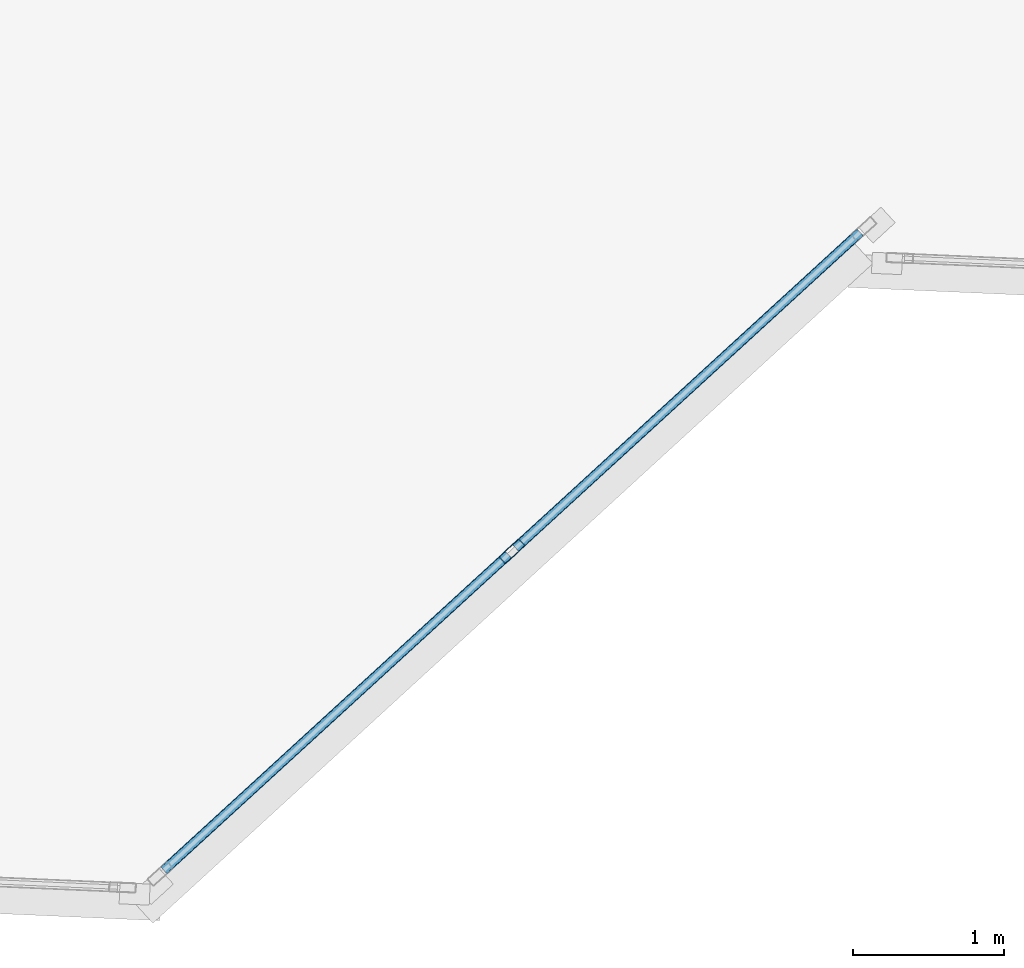
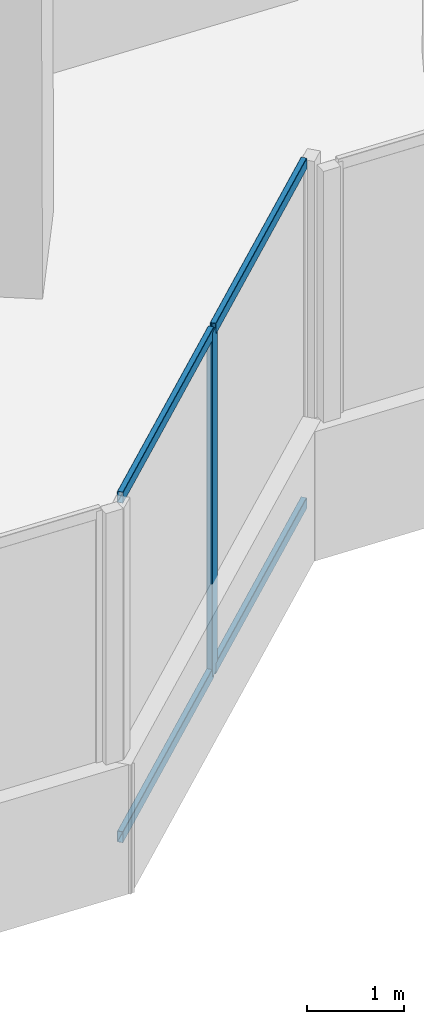
# One storey, part 6 of 27: 5 members, 1 element without a shape of its own.
"""IFC4 building model written with IfcOpenShell, lengths in metres."""

import ifcopenshell
import ifcopenshell.guid

model = None  # the IFC model being written
_history = None  # IfcOwnerHistory: only IFC2X3 demands one
_inside = {}  # id of a spatial element -> (the spatial element, [elements in it])
_under = {}  # id of a project, library or spatial element -> (it, [spatial elements below it])
_declared = {}  # id of a project -> (the project, [libraries it declares])
_typed = {}  # id of a type object -> (the type object, [elements of that type])
_made_of = {}  # id of a material, layer set ... -> (it, [elements and type objects made of it])


def new_model(schema):
    """Start an empty IFC model of exactly this schema.

    Asked for "IFC4X3", IfcOpenShell would pick the latest addendum, in which some entities
    have other attributes; the version numbers below select the first issue.
    IFC2X3 requires an IfcOwnerHistory on every rooted entity: one is made here for all.
    """
    global model, _history
    if schema == "IFC4X3":
        model = ifcopenshell.file(schema_version=(4, 3, 0, 0))
    else:
        model = ifcopenshell.file(schema=schema)
    _inside.clear()
    _under.clear()
    _declared.clear()
    _typed.clear()
    _made_of.clear()
    _history = None
    if model.schema == "IFC2X3":
        org = make("IfcOrganization", Name="unknown")
        user = make(
            "IfcPersonAndOrganization",
            ThePerson=make("IfcPerson", FamilyName="unknown"),
            TheOrganization=org,
        )
        app = make(
            "IfcApplication",
            ApplicationDeveloper=org,
            Version="unknown",
            ApplicationFullName="unknown",
            ApplicationIdentifier="unknown",
        )
        _history = make(
            "IfcOwnerHistory",
            OwningUser=user,
            OwningApplication=app,
            ChangeAction="ADDED",
            CreationDate=0,
        )
    return model


def make(cls, **values):
    """One entity of the class cls with the attributes given. An attribute that is None is left unset."""
    return model.create_entity(
        cls, **{name: value for name, value in values.items() if value is not None}
    )


def rooted(cls, **values):
    """An entity with a GlobalId (a new one), such as an element, a storey or a relation."""
    return make(cls, GlobalId=ifcopenshell.guid.new(), OwnerHistory=_history, **values)


def si_unit(unit_type, name, prefix=None):
    """IfcSIUnit, for example si_unit("LENGTHUNIT", "METRE", prefix="MILLI")."""
    return make("IfcSIUnit", UnitType=unit_type, Prefix=prefix, Name=name)


def assignment(units):
    """IfcUnitAssignment: the units of a project."""
    return None if units is None else make("IfcUnitAssignment", Units=units)


def point(xyz):
    """IfcCartesianPoint."""
    return None if xyz is None else make("IfcCartesianPoint", Coordinates=xyz)


def direction(xyz):
    """IfcDirection."""
    return None if xyz is None else make("IfcDirection", DirectionRatios=xyz)


def frame(location, z_axis=None, x_axis=None):
    """IfcAxis2Placement3D, a coordinate frame: its origin and axes. An axis left out is left unset."""
    return make(
        "IfcAxis2Placement3D",
        Location=point(location),
        Axis=direction(z_axis),
        RefDirection=direction(x_axis),
    )


def frame_2d(location, x_axis=None):
    """IfcAxis2Placement2D, a coordinate frame in the plane: its origin and x axis."""
    return make(
        "IfcAxis2Placement2D", Location=point(location), RefDirection=direction(x_axis)
    )


def origin():
    """The frame at (0, 0, 0) with its axes left unset."""
    return frame((0.0, 0.0, 0.0))


def origin_2d():
    """The frame at (0, 0) in the plane with its x axis left unset."""
    return frame_2d((0.0, 0.0))


def place(relative_to, where):
    """IfcLocalPlacement: puts the frame where relative to a parent placement (None: the world)."""
    return make(
        "IfcLocalPlacement", PlacementRelTo=relative_to, RelativePlacement=where
    )


def context(
    kind, dimensions, precision=None, world=None, true_north=None, identifier=None
):
    """IfcGeometricRepresentationContext, for example the 3D "Model" context."""
    return make(
        "IfcGeometricRepresentationContext",
        ContextIdentifier=identifier,
        ContextType=kind,
        CoordinateSpaceDimension=dimensions,
        Precision=precision,
        WorldCoordinateSystem=world,
        TrueNorth=true_north,
    )


def subcontext(parent, identifier, kind, view, scale=None):
    """IfcGeometricRepresentationSubContext, for example "Body" below "Model"."""
    return make(
        "IfcGeometricRepresentationSubContext",
        ContextIdentifier=identifier,
        ContextType=kind,
        ParentContext=parent,
        TargetScale=scale,
        TargetView=view,
    )


def project(units=None, contexts=None):
    """IfcProject with its units and contexts."""
    return rooted(
        "IfcProject",
        Name="project",
        RepresentationContexts=contexts,
        UnitsInContext=assignment(units),
    )


def spatial(cls, under=None, at=None, **own):
    """A site, building, storey or space (cls), placed at a placement, below another one or the project."""
    s = rooted(cls, ObjectPlacement=at, **own)
    if under is not None:
        _under.setdefault(under.id(), (under, []))[1].append(s)
    return s


def profile(cls, at=None, kind="AREA", **sizes):
    """A parametric profile (cls). Its sizes go by their IFC names, for example OverallWidth=200.0."""
    return make(cls, ProfileType=kind, Position=at, **sizes)


def hollow_rectangle(**sizes):
    """IfcRectangleHollowProfileDef."""
    return profile("IfcRectangleHollowProfileDef", **sizes)


def extrude(swept, where, along, depth):
    """IfcExtrudedAreaSolid: the profile swept, set in the frame where, extruded along a direction by depth."""
    return make(
        "IfcExtrudedAreaSolid",
        SweptArea=swept,
        Position=where,
        ExtrudedDirection=direction(along),
        Depth=depth,
    )


def shape(context_of_items, identifier, shape_type, items):
    """IfcShapeRepresentation: the items that make up one representation, for example the "Body"."""
    return make(
        "IfcShapeRepresentation",
        ContextOfItems=context_of_items,
        RepresentationIdentifier=identifier,
        RepresentationType=shape_type,
        Items=items,
    )


def source(mapping_origin, context_of_items, identifier, shape_type, items):
    """IfcRepresentationMap: a shape defined once, which mapped items show again and again."""
    return make(
        "IfcRepresentationMap",
        MappingOrigin=mapping_origin,
        MappedRepresentation=shape(context_of_items, identifier, shape_type, items),
    )


def transform(
    local_origin,
    x_axis=None,
    y_axis=None,
    z_axis=None,
    scale=None,
    scale2=None,
    scale3=None,
    uniform=True,
):
    """IfcCartesianTransformationOperator3D, or its non-uniform kind. x_axis, y_axis, z_axis: its Axis1, 2, 3."""
    if uniform:
        return make(
            "IfcCartesianTransformationOperator3D",
            Axis1=direction(x_axis),
            Axis2=direction(y_axis),
            LocalOrigin=point(local_origin),
            Scale=scale,
            Axis3=direction(z_axis),
        )
    return make(
        "IfcCartesianTransformationOperator3DnonUniform",
        Axis1=direction(x_axis),
        Axis2=direction(y_axis),
        LocalOrigin=point(local_origin),
        Scale=scale,
        Axis3=direction(z_axis),
        Scale2=scale2,
        Scale3=scale3,
    )


def mapped(mapping_source, mapping_target):
    """IfcMappedItem: shows the shape of a source again, moved by a transform."""
    return make(
        "IfcMappedItem", MappingSource=mapping_source, MappingTarget=mapping_target
    )


def material(Name=None, Category=None):
    """IfcMaterial."""
    return make("IfcMaterial", Name=Name, Category=Category)


def material_profile(
    of_material, cross_section, Name=None, Category=None, Priority=None
):
    """IfcMaterialProfile: a cross section and its material."""
    return make(
        "IfcMaterialProfile",
        Name=Name,
        Material=of_material,
        Profile=cross_section,
        Priority=Priority,
        Category=Category,
    )


def profile_set(profiles, Name=None, composite=None):
    """IfcMaterialProfileSet."""
    return make(
        "IfcMaterialProfileSet",
        Name=Name,
        MaterialProfiles=profiles,
        CompositeProfile=composite,
    )


def made_of(thing, what):
    """Note that an element or type object is made of a material, layer set ...; save() writes the relation."""
    if what is not None:
        _made_of.setdefault(what.id(), (what, []))[1].append(thing)
    return thing


def type_object(cls, material=None, **own):
    """A type object (cls), such as IfcWallType, which elements share."""
    return made_of(rooted(cls, **own), material)


def element(
    cls,
    number,
    at=None,
    inside=None,
    cuts=None,
    type_object=None,
    material=None,
    context=None,
    identifier="Body",
    shape_type=None,
    held_by="IfcProductDefinitionShape",
    body=None,
    shapes=None,
    **own,
):
    """One element of the class cls, such as IfcWall. Its Tag is "e" and its number.

    at: its placement. inside: the storey or other place that contains it. cuts: it is an
    opening in that element (IfcRelVoidsElement). A single representation is given by context,
    identifier, shape_type and body (its items); several are given by shapes. held_by: the class
    of the entity that holds the representations. save() writes the other relations.
    """
    e = rooted(cls, Tag="e%d" % number, ObjectPlacement=at, **own)
    if body is not None:
        shapes = [shape(context, identifier, shape_type, body)]
    if shapes is not None:
        e.Representation = make(held_by, Representations=shapes)
    if inside is not None:
        _inside.setdefault(inside.id(), (inside, []))[1].append(e)
    if cuts is not None:
        rooted(
            "IfcRelVoidsElement", RelatingBuildingElement=cuts, RelatedOpeningElement=e
        )
    if type_object is not None:
        _typed.setdefault(type_object.id(), (type_object, []))[1].append(e)
    return made_of(e, material)


def aggregate(whole, parts):
    """IfcRelAggregates: a whole, such as a stair, and the parts it consists of."""
    return rooted("IfcRelAggregates", RelatingObject=whole, RelatedObjects=parts)


def save(model, path):
    """Write the relations noted so far, then the file.

    IfcRelAggregates (storeys below a building ...), IfcRelContainedInSpatialStructure (elements
    in a storey), IfcRelDefinesByType, IfcRelAssociatesMaterial and IfcRelDeclares: one each for
    every whole, place, type object, material and project.
    """
    for whole, parts in _under.values():
        aggregate(whole, parts)
    for where, things in _inside.values():
        rooted(
            "IfcRelContainedInSpatialStructure",
            RelatedElements=things,
            RelatingStructure=where,
        )
    for kind, things in _typed.values():
        rooted("IfcRelDefinesByType", RelatedObjects=things, RelatingType=kind)
    for what, things in _made_of.values():
        rooted("IfcRelAssociatesMaterial", RelatedObjects=things, RelatingMaterial=what)
    for by, libraries in _declared.values():
        rooted("IfcRelDeclares", RelatingContext=by, RelatedDefinitions=libraries)
    model.write(path)


model = new_model("IFC4")

# Units and contexts
model_context = context("Model", 3, precision=1e-05, world=origin(), true_north=direction((0.0, 1.0)))
body_context = subcontext(model_context, "Body", "Model", "MODEL_VIEW")
ifc_project = project(units=[si_unit("LENGTHUNIT", "METRE"), si_unit("AREAUNIT", "SQUARE_METRE"), si_unit("VOLUMEUNIT", "CUBIC_METRE"), si_unit("PLANEANGLEUNIT", "RADIAN"), si_unit("MASSUNIT", "GRAM", prefix="KILO")], contexts=[model_context])

# Site, building, storey
site_placement = place(None, origin())
site = spatial("IfcSite", under=ifc_project, at=site_placement, CompositionType="ELEMENT")
building_placement = place(site_placement, origin())
building = spatial("IfcBuilding", under=site, at=building_placement, Name="Torre Montelarca", CompositionType="ELEMENT")
storey_placement = place(building_placement, frame((0.0, 0.0, 37.60009765625)))
storey = spatial("IfcBuildingStorey", under=building, at=storey_placement, Name="L08", CompositionType="ELEMENT", Elevation=37.60009765625)

# Curtain wall, members
ifc_material_1 = material(Name="Insulated low-E laminated glass", Category="glass")
curtain_wall_type = type_object("IfcCurtainWallType", Name="CW-SYS-Z1", PredefinedType="USERDEFINED", material=ifc_material_1)
curtain_wall_placement = place(storey_placement, origin())
curtain_wall = element("IfcCurtainWall", 1, at=curtain_wall_placement, inside=storey, type_object=curtain_wall_type, Name="L08 Curtain Wall Run CW-T3-L08-E02-B1", ObjectType="UNITISED GLAZING", PredefinedType="USERDEFINED")
ifc_material_2 = material(Name="Anodised aluminium AA 6063-T6", Category="aluminium")
ifc_material_profile_1 = material_profile(ifc_material_2, hollow_rectangle(XDim=0.06494140625, YDim=0.139892578125, WallThickness=0.00390625, InnerFilletRadius=0.00390625, OuterFilletRadius=0.008056640625, at=origin_2d()), Name="ALU65X140X4", Category="aluminium")
ifc_profile_set_1 = profile_set([ifc_material_profile_1], Name="Anodised aluminium AA 6063-T6")
member_type_1 = type_object("IfcMemberType", Name="CWT-ALU140", PredefinedType="USERDEFINED", material=ifc_profile_set_1)
shared_shape_1 = source(origin(), body_context, "Body", "SweptSolid", [
    extrude(hollow_rectangle(XDim=0.06494140625, YDim=0.139892578125, WallThickness=0.00390625, InnerFilletRadius=0.00390625, OuterFilletRadius=0.008056640625, at=origin_2d()), origin(), (0.0, 0.0, 1.0), 3.102294921875),
])
member_1_placement = place(storey_placement, frame((31.67822265625, 13.59375, 0.032470703125), z_axis=(0.73728152185, 0.675585640418, 0.0), x_axis=(-0.675585640418, 0.73728152185, 0.0)))
member_1 = element("IfcMember", 2, at=member_1_placement, type_object=member_type_1, Name="CW transom 1.1", ObjectType="TRANSOM", PredefinedType="USERDEFINED", context=body_context, shape_type="MappedRepresentation", body=[
    mapped(shared_shape_1, transform((0.0, 0.0, 0.0), scale=1.0)),
])
member_2_placement = place(storey_placement, frame((31.67822265625, 13.59375, 4.287353515625), z_axis=(0.73728152185, 0.675585640418, 0.0), x_axis=(-0.675585640418, 0.73728152185, 0.0)))
member_2 = element("IfcMember", 3, at=member_2_placement, type_object=member_type_1, Name="CW transom 1.2", ObjectType="TRANSOM", PredefinedType="USERDEFINED", context=body_context, shape_type="MappedRepresentation", body=[
    mapped(shared_shape_1, transform((0.0, 0.0, 0.0), scale=1.0)),
])
member_3_placement = place(storey_placement, frame((34.013671875, 15.733642578125, 0.032470703125), z_axis=(0.73728152185, 0.675585640418, 0.0), x_axis=(-0.675585640418, 0.73728152185, 0.0)))
member_3 = element("IfcMember", 4, at=member_3_placement, type_object=member_type_1, Name="CW transom 2.1", ObjectType="TRANSOM", PredefinedType="USERDEFINED", context=body_context, shape_type="MappedRepresentation", body=[
    mapped(shared_shape_1, transform((0.0, 0.0, 0.0), scale=1.0)),
])
member_4_placement = place(storey_placement, frame((34.013671875, 15.733642578125, 4.287353515625), z_axis=(0.73728152185, 0.675585640418, 0.0), x_axis=(-0.675585640418, 0.73728152185, 0.0)))
member_4 = element("IfcMember", 5, at=member_4_placement, type_object=member_type_1, Name="CW transom 2.2", ObjectType="TRANSOM", PredefinedType="USERDEFINED", context=body_context, shape_type="MappedRepresentation", body=[
    mapped(shared_shape_1, transform((0.0, 0.0, 0.0), scale=1.0)),
])
ifc_material_profile_2 = material_profile(ifc_material_2, hollow_rectangle(XDim=0.06494140625, YDim=0.179931640625, WallThickness=0.00390625, InnerFilletRadius=0.00390625, OuterFilletRadius=0.008056640625, at=origin_2d()), Name="ALU65X180X4", Category="aluminium")
ifc_profile_set_2 = profile_set([ifc_material_profile_2], Name="Anodised aluminium AA 6063-T6")
member_type_2 = type_object("IfcMemberType", Name="CWM-ALU180", PredefinedType="MULLION", material=ifc_profile_set_2)
shared_shape_2 = source(origin(), body_context, "Body", "SweptSolid", [
    extrude(hollow_rectangle(XDim=0.06494140625, YDim=0.179931640625, WallThickness=0.00390625, InnerFilletRadius=0.00390625, OuterFilletRadius=0.008056640625, at=origin_2d()), origin(), (0.0, 0.0, 1.0), 4.31982421875),
])
member_5_placement = place(storey_placement, frame((33.989501953125, 15.711669921875, 0.0), z_axis=(0.0, 0.0, 1.0), x_axis=(-0.675574618781, 0.737291621042, 0.0)))
member_5 = element("IfcMember", 6, at=member_5_placement, type_object=member_type_2, Name="CW mullion 2", PredefinedType="MULLION", context=body_context, shape_type="MappedRepresentation", body=[
    mapped(shared_shape_2, transform((0.0, 0.0, 0.0), scale=1.0)),
])
aggregate(curtain_wall, [member_5, member_1, member_2, member_3, member_4])

save(model, "model.ifc")
